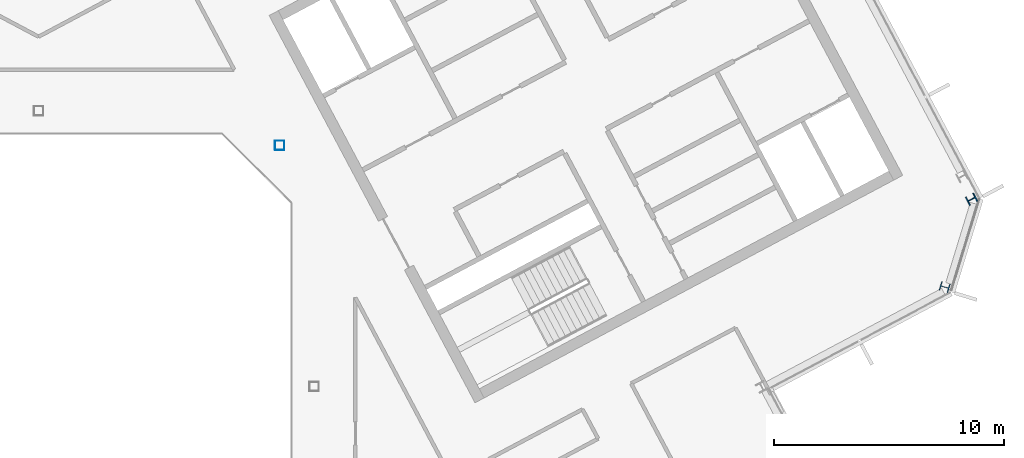
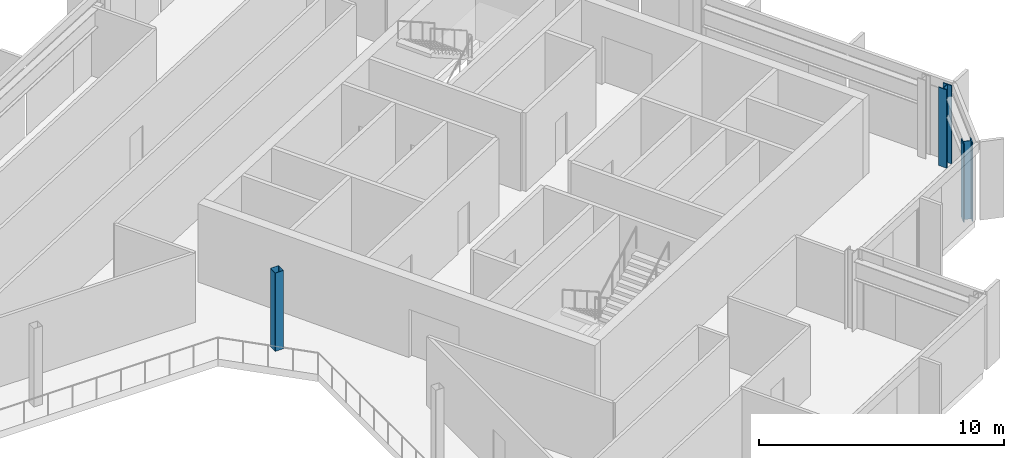
# One storey, part 6 of 26: 3 columns.
"""IFC4 building model written with IfcOpenShell, lengths in metres."""

from ifc_helpers import new_model, si_unit, direction, frame, origin, origin_2d, place, context, subcontext, project, spatial, hollow_rectangle, i_section, extrude, material, material_profile, profile_set, type_object, element, save


model = new_model("IFC4")

# Units and contexts
model_context = context("Model", 3, precision=1e-05, world=origin(), true_north=direction((0.0, 1.0)))
body_context = subcontext(model_context, "Body", "Model", "MODEL_VIEW")
ifc_project = project(units=[si_unit("LENGTHUNIT", "METRE"), si_unit("AREAUNIT", "SQUARE_METRE"), si_unit("VOLUMEUNIT", "CUBIC_METRE"), si_unit("PLANEANGLEUNIT", "RADIAN"), si_unit("MASSUNIT", "GRAM", prefix="KILO")], contexts=[model_context])

# Site, building, storey
site_placement = place(None, origin())
site = spatial("IfcSite", under=ifc_project, at=site_placement, CompositionType="ELEMENT")
building_placement = place(site_placement, origin())
building = spatial("IfcBuilding", under=site, at=building_placement, Name="Cormorant Relay Tower", CompositionType="ELEMENT")
storey_placement = place(building_placement, frame((0.0, 0.0, 316.5)))
storey = spatial("IfcBuildingStorey", under=building, at=storey_placement, Name="L72", CompositionType="ELEMENT", Elevation=316.5)

# Columns
ifc_material_1 = material(Name="Steel ASTM A500 Grade C (Fy 345 MPa)", Category="steel")
ifc_material_profile_1 = material_profile(ifc_material_1, hollow_rectangle(XDim=0.406494140625, YDim=0.406494140625, WallThickness=0.0087890625, InnerFilletRadius=0.00439453125, OuterFilletRadius=0.01318359375, at=origin_2d()), Name="HSS406x406x9")
ifc_profile_set_1 = profile_set([ifc_material_profile_1], Name="Steel ASTM A500 Grade C (Fy 345 MPa)")
column_type_1 = type_object("IfcColumnType", Name="Column HSS406x406x9", PredefinedType="COLUMN", material=ifc_profile_set_1)
column_placement = place(storey_placement, frame((10.5, 10.5, 0.0), z_axis=(0.0, 0.0, 1.0), x_axis=(1.0, 0.0, 0.0)))
element("IfcColumn", 1, at=column_placement, inside=storey, type_object=column_type_1, Name="Column L72-024", PredefinedType="COLUMN", context=body_context, shape_type="SweptSolid", body=[
    extrude(hollow_rectangle(XDim=0.406494140625, YDim=0.406494140625, WallThickness=0.0087890625, InnerFilletRadius=0.00439453125, OuterFilletRadius=0.01318359375, at=origin_2d()), origin(), (0.0, 0.0, 1.0), 3.89990234375),
])
ifc_material_2 = material(Name="Steel ASTM A992 (Fy 345 MPa)", Category="steel")
ifc_material_profile_2 = material_profile(ifc_material_2, i_section(OverallWidth=0.40380859375, OverallDepth=0.406494140625, WebThickness=0.027099609375, FlangeThickness=0.043701171875, FilletRadius=0.01513671875, at=origin_2d()), Name="W360x347")
ifc_profile_set_2 = profile_set([ifc_material_profile_2], Name="Steel ASTM A992 (Fy 345 MPa)")
column_type_2 = type_object("IfcColumnType", Name="Column W360x347", PredefinedType="COLUMN", material=ifc_profile_set_2)
for number, where, z_axis, x_axis, name in (
    (2, (39.464111328125, 4.330078125, 0.0), (0.0, 0.0, 1.0), (0.292371704723, 0.956304755963, 0.0), "Column L72-019"),
    (3, (40.633056640625, 8.153076171875, 0.0), (0.0, 0.0, 1.0), (-0.469471562786, 0.882947592859, 0.0), "Column L72-020"),
):
    element("IfcColumn", number, at=place(storey_placement, frame(where, z_axis=z_axis, x_axis=x_axis)), inside=storey, type_object=column_type_2, Name=name, PredefinedType="COLUMN", context=body_context, shape_type="SweptSolid", body=[
        extrude(i_section(OverallWidth=0.40380859375, OverallDepth=0.406494140625, WebThickness=0.027099609375, FlangeThickness=0.043701171875, FilletRadius=0.01513671875, at=origin_2d()), origin(), (0.0, 0.0, 1.0), 3.89990234375),
    ])

save(model, "model.ifc")
